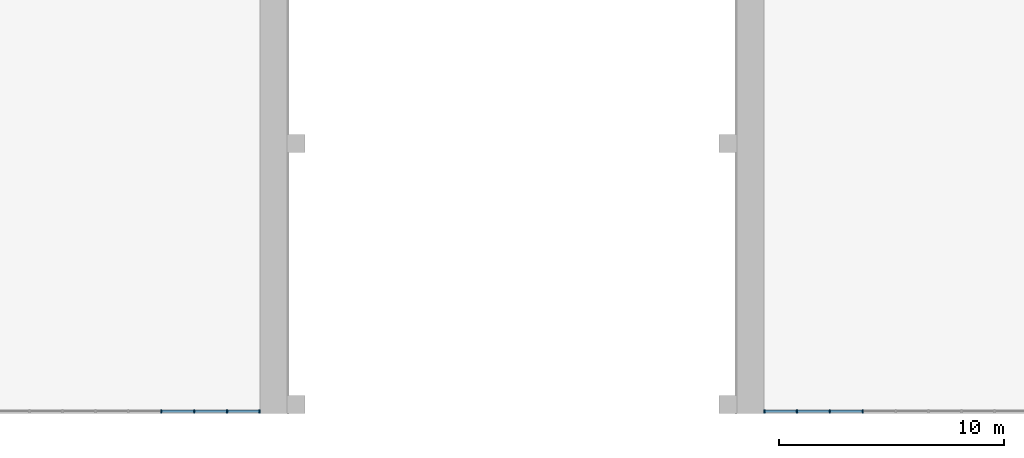
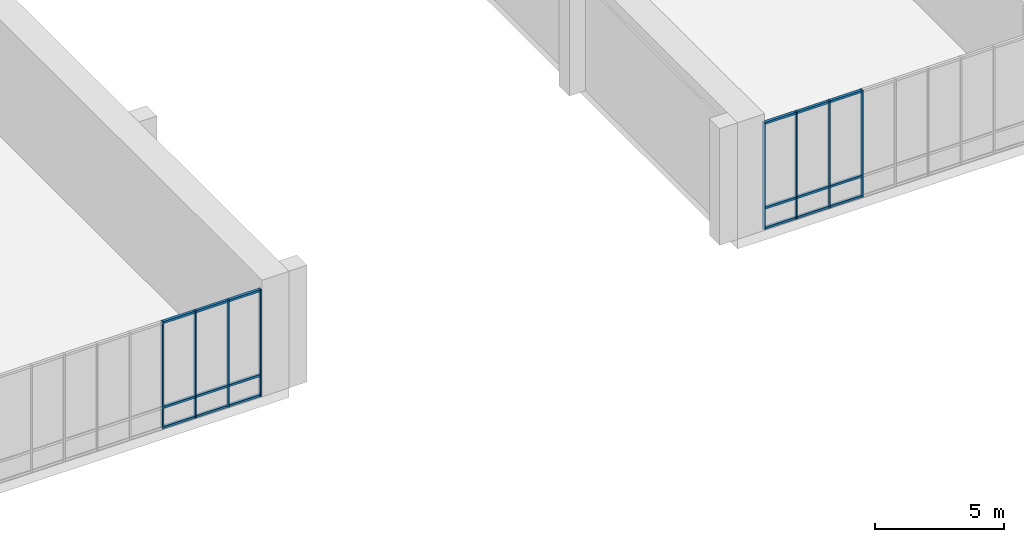
# One storey, part 6 of 28: 26 members, 2 elements without a shape of their own.
"""IFC4 building model written with IfcOpenShell, lengths in metres."""

from ifc_helpers import new_model, si_unit, direction, frame, origin, origin_2d, place, context, subcontext, project, spatial, rectangle, extrude, material, layer, layer_set, material_profile, profile_set, type_object, element, aggregate, save


model = new_model("IFC4")

# Units and contexts
model_context = context("Model", 3, precision=1e-05, world=origin(), true_north=direction((0.0, 1.0)))
body_context = subcontext(model_context, "Body", "Model", "MODEL_VIEW")
ifc_project = project(units=[si_unit("LENGTHUNIT", "METRE"), si_unit("AREAUNIT", "SQUARE_METRE"), si_unit("VOLUMEUNIT", "CUBIC_METRE"), si_unit("PLANEANGLEUNIT", "RADIAN"), si_unit("MASSUNIT", "GRAM", prefix="KILO")], contexts=[model_context])

# Site, building, storey
site_placement = place(None, origin())
site = spatial("IfcSite", under=ifc_project, at=site_placement, CompositionType="ELEMENT")
building_placement = place(site_placement, origin())
building = spatial("IfcBuilding", under=site, at=building_placement, Name="Torana Hotel and Residences", CompositionType="ELEMENT")
storey_placement = place(building_placement, frame((0.0, 0.0, 7.0)))
storey = spatial("IfcBuildingStorey", under=building, at=storey_placement, Name="L01", CompositionType="ELEMENT", Elevation=7.0)

# Curtain wall, members
ifc_material_1 = material(Name="Dark anodised aluminium", Category="aluminium")
ifc_layer = layer(ifc_material_1, 0.14990234375)
ifc_layer_set = layer_set([ifc_layer], Name="CW5 PODIUM UPPER UNITISED CURTAIN WALL")
curtain_wall_type = type_object("IfcCurtainWallType", Name="CW5 PODIUM UPPER UNITISED CURTAIN WALL", PredefinedType="NOTDEFINED", material=ifc_layer_set)
curtain_wall_1_placement = place(storey_placement, origin())
curtain_wall_1 = element("IfcCurtainWall", 1, at=curtain_wall_1_placement, inside=storey, type_object=curtain_wall_type, Name="Curtain wall CW5 L01 e0.0", PredefinedType="NOTDEFINED")
ifc_material_2 = material(Name="Dark anodised aluminium", Category="aluminium")
ifc_material_profile_1 = material_profile(ifc_material_2, rectangle(XDim=0.14990234375, YDim=0.06005859375, at=origin_2d()), Name="CW5 MULLION 60x150")
ifc_profile_set_1 = profile_set([ifc_material_profile_1], Name="Dark anodised aluminium")
member_type_1 = type_object("IfcMemberType", Name="CW5 MULLION 60x150", PredefinedType="MULLION", material=ifc_profile_set_1)
member_1_placement = place(storey_placement, frame((-15.596435546875, -39.89990234375, 0.0), z_axis=(0.0, 0.0, 1.0), x_axis=(0.0, 1.0, 0.0)))
member_1 = element("IfcMember", 2, at=member_1_placement, type_object=member_type_1, Name="CW5 mullion 19", PredefinedType="MULLION", context=body_context, shape_type="SweptSolid", body=[
    extrude(rectangle(XDim=0.14990234375, YDim=0.06005859375, at=origin_2d()), origin(), (0.0, 0.0, 1.0), 5.050048828125),
])
member_2_placement = place(storey_placement, frame((-14.131103515625, -39.89990234375, 0.0), z_axis=(0.0, 0.0, 1.0), x_axis=(0.0, 1.0, 0.0)))
member_2 = element("IfcMember", 3, at=member_2_placement, type_object=member_type_1, Name="CW5 mullion 20", PredefinedType="MULLION", context=body_context, shape_type="SweptSolid", body=[
    extrude(rectangle(XDim=0.14990234375, YDim=0.06005859375, at=origin_2d()), origin(), (0.0, 0.0, 1.0), 5.050048828125),
])
member_3_placement = place(storey_placement, frame((-12.66552734375, -39.89990234375, 0.0), z_axis=(0.0, 0.0, 1.0), x_axis=(0.0, 1.0, 0.0)))
member_3 = element("IfcMember", 4, at=member_3_placement, type_object=member_type_1, Name="CW5 mullion 21", PredefinedType="MULLION", context=body_context, shape_type="SweptSolid", body=[
    extrude(rectangle(XDim=0.14990234375, YDim=0.06005859375, at=origin_2d()), origin(), (0.0, 0.0, 1.0), 5.050048828125),
])
member_4_placement = place(storey_placement, frame((-11.22998046875, -39.89990234375, 0.0), z_axis=(0.0, 0.0, 1.0), x_axis=(0.0, 1.0, 0.0)))
member_4 = element("IfcMember", 5, at=member_4_placement, type_object=member_type_1, Name="CW5 mullion 22", PredefinedType="MULLION", context=body_context, shape_type="SweptSolid", body=[
    extrude(rectangle(XDim=0.14990234375, YDim=0.06005859375, at=origin_2d()), origin(), (0.0, 0.0, 1.0), 5.050048828125),
])

curtain_wall_2_placement = place(storey_placement, origin())
curtain_wall_2 = element("IfcCurtainWall", 6, at=curtain_wall_2_placement, inside=storey, type_object=curtain_wall_type, Name="Curtain wall CW5 L01 e1.0", PredefinedType="NOTDEFINED")
member_5_placement = place(storey_placement, frame((11.22998046875, -39.89990234375, 0.0), z_axis=(0.0, 0.0, 1.0), x_axis=(0.0, 1.0, 0.0)))
member_5 = element("IfcMember", 7, at=member_5_placement, type_object=member_type_1, Name="CW5 mullion 1", PredefinedType="MULLION", context=body_context, shape_type="SweptSolid", body=[
    extrude(rectangle(XDim=0.14990234375, YDim=0.06005859375, at=origin_2d()), origin(), (0.0, 0.0, 1.0), 5.050048828125),
])
member_6_placement = place(storey_placement, frame((12.66552734375, -39.89990234375, 0.0), z_axis=(0.0, 0.0, 1.0), x_axis=(0.0, 1.0, 0.0)))
member_6 = element("IfcMember", 8, at=member_6_placement, type_object=member_type_1, Name="CW5 mullion 2", PredefinedType="MULLION", context=body_context, shape_type="SweptSolid", body=[
    extrude(rectangle(XDim=0.14990234375, YDim=0.06005859375, at=origin_2d()), origin(), (0.0, 0.0, 1.0), 5.050048828125),
])
member_7_placement = place(storey_placement, frame((14.131103515625, -39.89990234375, 0.0), z_axis=(0.0, 0.0, 1.0), x_axis=(0.0, 1.0, 0.0)))
member_7 = element("IfcMember", 9, at=member_7_placement, type_object=member_type_1, Name="CW5 mullion 3", PredefinedType="MULLION", context=body_context, shape_type="SweptSolid", body=[
    extrude(rectangle(XDim=0.14990234375, YDim=0.06005859375, at=origin_2d()), origin(), (0.0, 0.0, 1.0), 5.050048828125),
])
member_8_placement = place(storey_placement, frame((15.596435546875, -39.89990234375, 0.0), z_axis=(0.0, 0.0, 1.0), x_axis=(0.0, 1.0, 0.0)))
member_8 = element("IfcMember", 10, at=member_8_placement, type_object=member_type_1, Name="CW5 mullion 4", PredefinedType="MULLION", context=body_context, shape_type="SweptSolid", body=[
    extrude(rectangle(XDim=0.14990234375, YDim=0.06005859375, at=origin_2d()), origin(), (0.0, 0.0, 1.0), 5.050048828125),
])

# Member
ifc_material_3 = material(Name="Dark anodised aluminium", Category="aluminium")
ifc_material_profile_2 = material_profile(ifc_material_3, rectangle(XDim=0.1201171875, YDim=0.10009765625, at=origin_2d()), Name="CW5 TRANSOM 120x100")
ifc_profile_set_2 = profile_set([ifc_material_profile_2], Name="Dark anodised aluminium")
member_type_2 = type_object("IfcMemberType", Name="CW5 TRANSOM 120x100", PredefinedType="USERDEFINED", material=ifc_profile_set_2)
member_9_placement = place(storey_placement, frame((-15.56640625, -39.89990234375, 0.050048828125), z_axis=(1.0, 0.0, 0.0), x_axis=(0.0, 1.0, 0.0)))
member_9 = element("IfcMember", 11, at=member_9_placement, type_object=member_type_2, Name="CW5 transom 19.1", ObjectType="TRANSOM", PredefinedType="USERDEFINED", context=body_context, shape_type="SweptSolid", body=[
    extrude(rectangle(XDim=0.1201171875, YDim=0.10009765625, at=origin_2d()), origin(), (0.0, 0.0, 1.0), 1.405517578125),
])

member_10_placement = place(storey_placement, frame((-15.56640625, -39.89990234375, 1.0), z_axis=(1.0, 0.0, 0.0), x_axis=(0.0, 1.0, 0.0)))
member_10 = element("IfcMember", 12, at=member_10_placement, type_object=member_type_2, Name="CW5 transom 19.2", ObjectType="TRANSOM", PredefinedType="USERDEFINED", context=body_context, shape_type="SweptSolid", body=[
    extrude(rectangle(XDim=0.1201171875, YDim=0.10009765625, at=origin_2d()), origin(), (0.0, 0.0, 1.0), 1.405517578125),
])

member_11_placement = place(storey_placement, frame((-15.56640625, -39.89990234375, 5.0), z_axis=(1.0, 0.0, 0.0), x_axis=(0.0, 1.0, 0.0)))
member_11 = element("IfcMember", 13, at=member_11_placement, type_object=member_type_2, Name="CW5 transom 19.3", ObjectType="TRANSOM", PredefinedType="USERDEFINED", context=body_context, shape_type="SweptSolid", body=[
    extrude(rectangle(XDim=0.1201171875, YDim=0.10009765625, at=origin_2d()), origin(), (0.0, 0.0, 1.0), 1.405517578125),
])

member_12_placement = place(storey_placement, frame((-14.10107421875, -39.89990234375, 0.050048828125), z_axis=(1.0, 0.0, 0.0), x_axis=(0.0, 1.0, 0.0)))
member_12 = element("IfcMember", 14, at=member_12_placement, type_object=member_type_2, Name="CW5 transom 20.1", ObjectType="TRANSOM", PredefinedType="USERDEFINED", context=body_context, shape_type="SweptSolid", body=[
    extrude(rectangle(XDim=0.1201171875, YDim=0.10009765625, at=origin_2d()), origin(), (0.0, 0.0, 1.0), 1.405517578125),
])

member_13_placement = place(storey_placement, frame((-14.10107421875, -39.89990234375, 1.0), z_axis=(1.0, 0.0, 0.0), x_axis=(0.0, 1.0, 0.0)))
member_13 = element("IfcMember", 15, at=member_13_placement, type_object=member_type_2, Name="CW5 transom 20.2", ObjectType="TRANSOM", PredefinedType="USERDEFINED", context=body_context, shape_type="SweptSolid", body=[
    extrude(rectangle(XDim=0.1201171875, YDim=0.10009765625, at=origin_2d()), origin(), (0.0, 0.0, 1.0), 1.405517578125),
])

member_14_placement = place(storey_placement, frame((-14.10107421875, -39.89990234375, 5.0), z_axis=(1.0, 0.0, 0.0), x_axis=(0.0, 1.0, 0.0)))
member_14 = element("IfcMember", 16, at=member_14_placement, type_object=member_type_2, Name="CW5 transom 20.3", ObjectType="TRANSOM", PredefinedType="USERDEFINED", context=body_context, shape_type="SweptSolid", body=[
    extrude(rectangle(XDim=0.1201171875, YDim=0.10009765625, at=origin_2d()), origin(), (0.0, 0.0, 1.0), 1.405517578125),
])

member_15_placement = place(storey_placement, frame((-12.635498046875, -39.89990234375, 0.050048828125), z_axis=(1.0, 0.0, 0.0), x_axis=(0.0, 1.0, 0.0)))
member_15 = element("IfcMember", 17, at=member_15_placement, type_object=member_type_2, Name="CW5 transom 21.1", ObjectType="TRANSOM", PredefinedType="USERDEFINED", context=body_context, shape_type="SweptSolid", body=[
    extrude(rectangle(XDim=0.1201171875, YDim=0.10009765625, at=origin_2d()), origin(), (0.0, 0.0, 1.0), 1.37548828125),
])

member_16_placement = place(storey_placement, frame((-12.635498046875, -39.89990234375, 1.0), z_axis=(1.0, 0.0, 0.0), x_axis=(0.0, 1.0, 0.0)))
member_16 = element("IfcMember", 18, at=member_16_placement, type_object=member_type_2, Name="CW5 transom 21.2", ObjectType="TRANSOM", PredefinedType="USERDEFINED", context=body_context, shape_type="SweptSolid", body=[
    extrude(rectangle(XDim=0.1201171875, YDim=0.10009765625, at=origin_2d()), origin(), (0.0, 0.0, 1.0), 1.37548828125),
])

member_17_placement = place(storey_placement, frame((-12.635498046875, -39.89990234375, 5.0), z_axis=(1.0, 0.0, 0.0), x_axis=(0.0, 1.0, 0.0)))
member_17 = element("IfcMember", 19, at=member_17_placement, type_object=member_type_2, Name="CW5 transom 21.3", ObjectType="TRANSOM", PredefinedType="USERDEFINED", context=body_context, shape_type="SweptSolid", body=[
    extrude(rectangle(XDim=0.1201171875, YDim=0.10009765625, at=origin_2d()), origin(), (0.0, 0.0, 1.0), 1.37548828125),
])

aggregate(curtain_wall_1, [member_1, member_2, member_3, member_4, member_9, member_10, member_11, member_12, member_13, member_14, member_15, member_16, member_17])

member_18_placement = place(storey_placement, frame((11.260009765625, -39.89990234375, 0.050048828125), z_axis=(1.0, 0.0, 0.0), x_axis=(0.0, 1.0, 0.0)))
member_18 = element("IfcMember", 20, at=member_18_placement, type_object=member_type_2, Name="CW5 transom 1.1", ObjectType="TRANSOM", PredefinedType="USERDEFINED", context=body_context, shape_type="SweptSolid", body=[
    extrude(rectangle(XDim=0.1201171875, YDim=0.10009765625, at=origin_2d()), origin(), (0.0, 0.0, 1.0), 1.37548828125),
])

member_19_placement = place(storey_placement, frame((11.260009765625, -39.89990234375, 1.0), z_axis=(1.0, 0.0, 0.0), x_axis=(0.0, 1.0, 0.0)))
member_19 = element("IfcMember", 21, at=member_19_placement, type_object=member_type_2, Name="CW5 transom 1.2", ObjectType="TRANSOM", PredefinedType="USERDEFINED", context=body_context, shape_type="SweptSolid", body=[
    extrude(rectangle(XDim=0.1201171875, YDim=0.10009765625, at=origin_2d()), origin(), (0.0, 0.0, 1.0), 1.37548828125),
])

member_20_placement = place(storey_placement, frame((11.260009765625, -39.89990234375, 5.0), z_axis=(1.0, 0.0, 0.0), x_axis=(0.0, 1.0, 0.0)))
member_20 = element("IfcMember", 22, at=member_20_placement, type_object=member_type_2, Name="CW5 transom 1.3", ObjectType="TRANSOM", PredefinedType="USERDEFINED", context=body_context, shape_type="SweptSolid", body=[
    extrude(rectangle(XDim=0.1201171875, YDim=0.10009765625, at=origin_2d()), origin(), (0.0, 0.0, 1.0), 1.37548828125),
])

member_21_placement = place(storey_placement, frame((12.695556640625, -39.89990234375, 0.050048828125), z_axis=(1.0, 0.0, 0.0), x_axis=(0.0, 1.0, 0.0)))
member_21 = element("IfcMember", 23, at=member_21_placement, type_object=member_type_2, Name="CW5 transom 2.1", ObjectType="TRANSOM", PredefinedType="USERDEFINED", context=body_context, shape_type="SweptSolid", body=[
    extrude(rectangle(XDim=0.1201171875, YDim=0.10009765625, at=origin_2d()), origin(), (0.0, 0.0, 1.0), 1.405517578125),
])

member_22_placement = place(storey_placement, frame((12.695556640625, -39.89990234375, 1.0), z_axis=(1.0, 0.0, 0.0), x_axis=(0.0, 1.0, 0.0)))
member_22 = element("IfcMember", 24, at=member_22_placement, type_object=member_type_2, Name="CW5 transom 2.2", ObjectType="TRANSOM", PredefinedType="USERDEFINED", context=body_context, shape_type="SweptSolid", body=[
    extrude(rectangle(XDim=0.1201171875, YDim=0.10009765625, at=origin_2d()), origin(), (0.0, 0.0, 1.0), 1.405517578125),
])

member_23_placement = place(storey_placement, frame((12.695556640625, -39.89990234375, 5.0), z_axis=(1.0, 0.0, 0.0), x_axis=(0.0, 1.0, 0.0)))
member_23 = element("IfcMember", 25, at=member_23_placement, type_object=member_type_2, Name="CW5 transom 2.3", ObjectType="TRANSOM", PredefinedType="USERDEFINED", context=body_context, shape_type="SweptSolid", body=[
    extrude(rectangle(XDim=0.1201171875, YDim=0.10009765625, at=origin_2d()), origin(), (0.0, 0.0, 1.0), 1.405517578125),
])

member_24_placement = place(storey_placement, frame((14.160888671875, -39.89990234375, 0.050048828125), z_axis=(1.0, 0.0, 0.0), x_axis=(0.0, 1.0, 0.0)))
member_24 = element("IfcMember", 26, at=member_24_placement, type_object=member_type_2, Name="CW5 transom 3.1", ObjectType="TRANSOM", PredefinedType="USERDEFINED", context=body_context, shape_type="SweptSolid", body=[
    extrude(rectangle(XDim=0.1201171875, YDim=0.10009765625, at=origin_2d()), origin(), (0.0, 0.0, 1.0), 1.405517578125),
])

member_25_placement = place(storey_placement, frame((14.160888671875, -39.89990234375, 1.0), z_axis=(1.0, 0.0, 0.0), x_axis=(0.0, 1.0, 0.0)))
member_25 = element("IfcMember", 27, at=member_25_placement, type_object=member_type_2, Name="CW5 transom 3.2", ObjectType="TRANSOM", PredefinedType="USERDEFINED", context=body_context, shape_type="SweptSolid", body=[
    extrude(rectangle(XDim=0.1201171875, YDim=0.10009765625, at=origin_2d()), origin(), (0.0, 0.0, 1.0), 1.405517578125),
])

member_26_placement = place(storey_placement, frame((14.160888671875, -39.89990234375, 5.0), z_axis=(1.0, 0.0, 0.0), x_axis=(0.0, 1.0, 0.0)))
member_26 = element("IfcMember", 28, at=member_26_placement, type_object=member_type_2, Name="CW5 transom 3.3", ObjectType="TRANSOM", PredefinedType="USERDEFINED", context=body_context, shape_type="SweptSolid", body=[
    extrude(rectangle(XDim=0.1201171875, YDim=0.10009765625, at=origin_2d()), origin(), (0.0, 0.0, 1.0), 1.405517578125),
])

aggregate(curtain_wall_2, [member_5, member_6, member_7, member_8, member_18, member_19, member_20, member_21, member_22, member_23, member_24, member_25, member_26])

save(model, "model.ifc")
